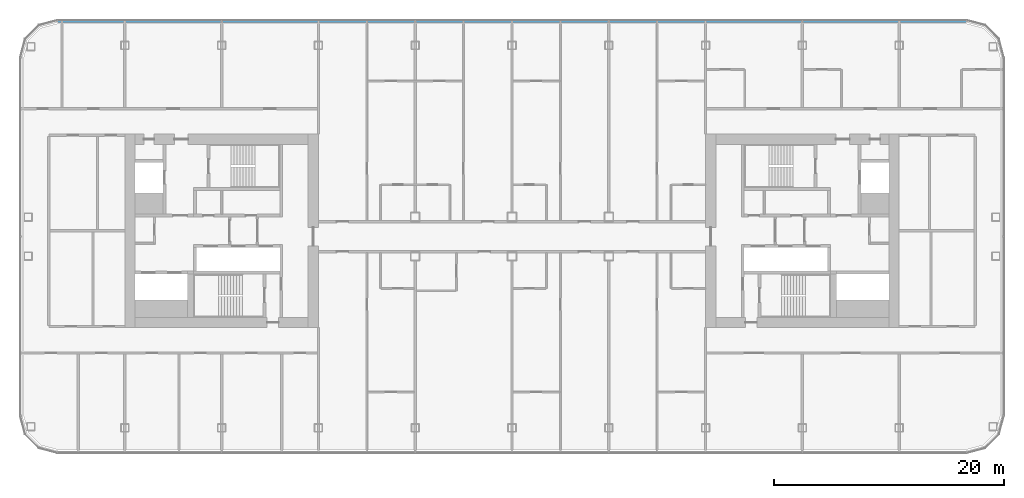
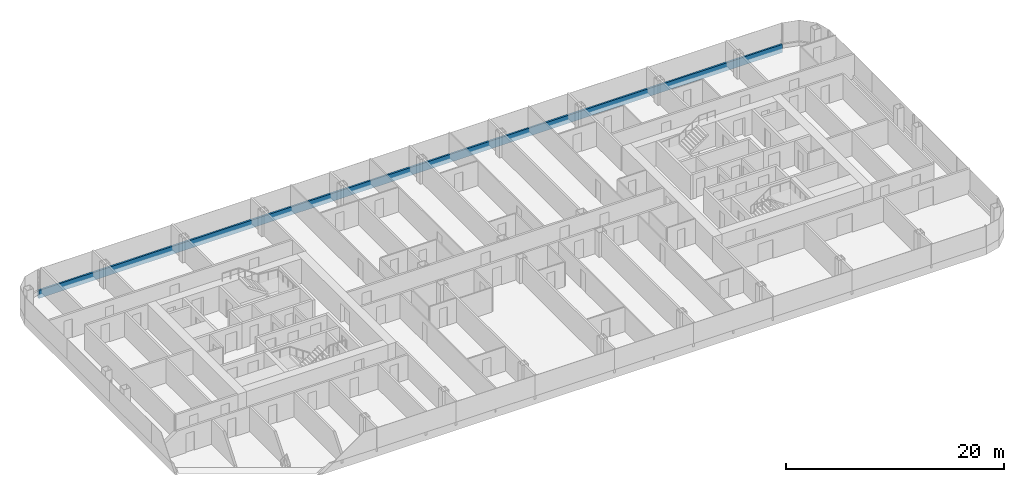
# One storey, part 7 of 26: 1 member, 1 element without a shape of its own.
"""IFC4 building model written with IfcOpenShell, lengths in metres."""

from ifc_helpers import new_model, si_unit, direction, frame, origin, origin_2d, place, context, subcontext, project, spatial, rectangle, extrude, material, layer, layer_set, material_profile, profile_set, type_object, element, aggregate, save


model = new_model("IFC4")

# Units and contexts
model_context = context("Model", 3, precision=1e-05, world=origin(), true_north=direction((0.0, 1.0)))
body_context = subcontext(model_context, "Body", "Model", "MODEL_VIEW")
ifc_project = project(units=[si_unit("LENGTHUNIT", "METRE"), si_unit("AREAUNIT", "SQUARE_METRE"), si_unit("VOLUMEUNIT", "CUBIC_METRE"), si_unit("PLANEANGLEUNIT", "RADIAN"), si_unit("MASSUNIT", "GRAM", prefix="KILO")], contexts=[model_context])

# Site, building, storey
site_placement = place(None, origin())
site = spatial("IfcSite", under=ifc_project, at=site_placement, CompositionType="ELEMENT")
building_placement = place(site_placement, origin())
building = spatial("IfcBuilding", under=site, at=building_placement, Name="Hakoniwa Tower and Hamabe Station Hall", CompositionType="ELEMENT")
storey_placement = place(building_placement, frame((0.0, 0.0, 143.800048828125)))
storey = spatial("IfcBuildingStorey", under=building, at=storey_placement, Name="L40", CompositionType="ELEMENT", Elevation=143.800048828125)

# Curtain wall, member
ifc_material_1 = material(Name="Dark low-e laminated glass", Category="glass")
ifc_layer = layer(ifc_material_1, 0.199951171875)
ifc_layer_set = layer_set([ifc_layer], Name="CW-1 UNITISED GUEST")
curtain_wall_type = type_object("IfcCurtainWallType", Name="CW-1 UNITISED GUEST", PredefinedType="NOTDEFINED", material=ifc_layer_set)
curtain_wall_placement = place(storey_placement, origin())
curtain_wall = element("IfcCurtainWall", 1, at=curtain_wall_placement, inside=storey, type_object=curtain_wall_type, Name="CW-1 curtain wall", PredefinedType="NOTDEFINED")
ifc_material_2 = material(Name="Aluminium 6063-T5 black anodised", Category="aluminium")
ifc_material_profile = material_profile(ifc_material_2, rectangle(XDim=0.199951171875, YDim=0.89990234375, at=origin_2d()), Name="CW SLAB-EDGE BAND 900X200")
ifc_profile_set = profile_set([ifc_material_profile], Name="Aluminium 6063-T5 black anodised")
member_type = type_object("IfcMemberType", Name="CW SLAB-EDGE BAND 900X200", PredefinedType="USERDEFINED", material=ifc_profile_set)
member_placement = place(storey_placement, frame((39.439453125, 18.199951171875, -0.10009765625), z_axis=(-1.0, 0.0, 0.0), x_axis=(0.0, -1.0, 0.0)))
member = element("IfcMember", 2, at=member_placement, type_object=member_type, Name="CW-1 transom", ObjectType="TRANSOM", PredefinedType="USERDEFINED", context=body_context, shape_type="SweptSolid", body=[
    extrude(rectangle(XDim=0.199951171875, YDim=0.89990234375, at=origin_2d()), origin(), (0.0, 0.0, 1.0), 78.87890625),
])
aggregate(curtain_wall, [member])

save(model, "model.ifc")
